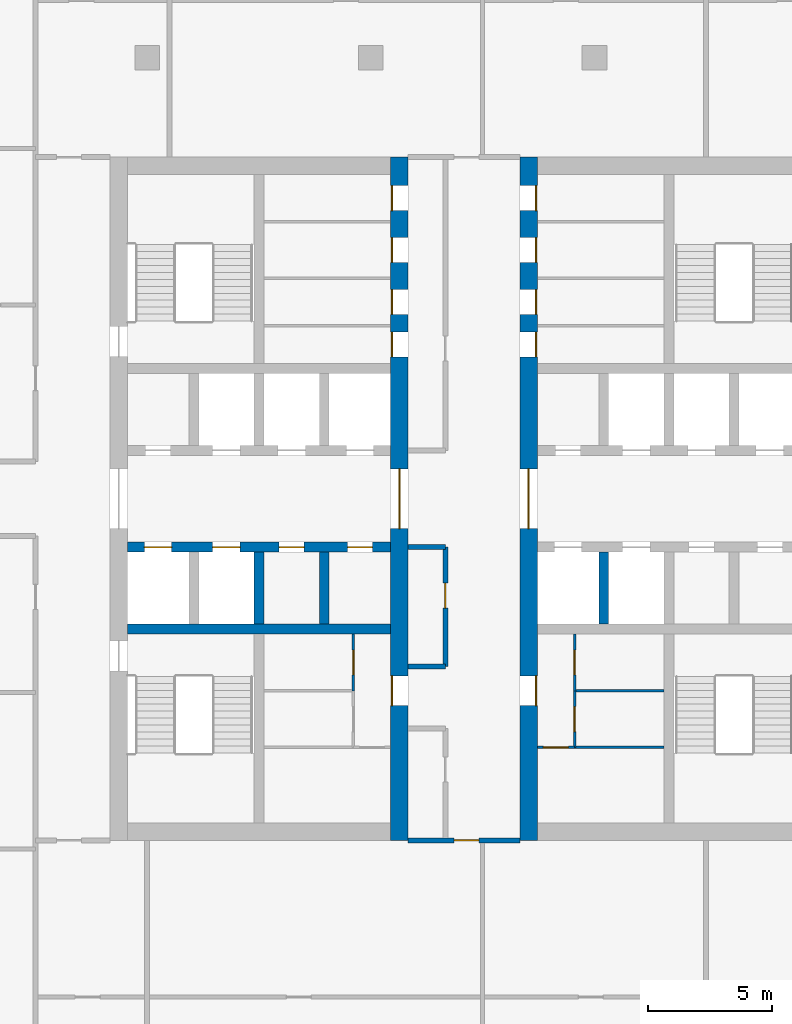
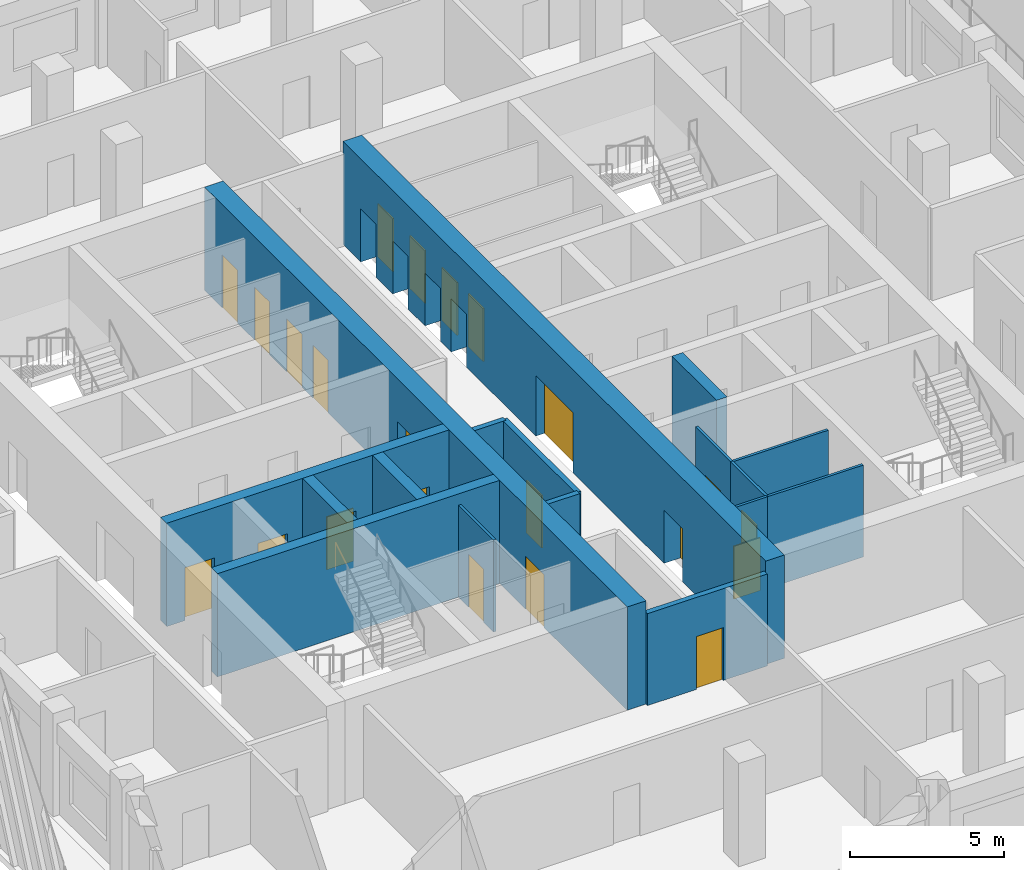
# One storey, part 4 of 17: 22 doors, 17 walls, 22 openings.
"""IFC4 building model written with IfcOpenShell, lengths in metres."""

import ifcopenshell
import ifcopenshell.guid

model = None  # the IFC model being written
_history = None  # IfcOwnerHistory: only IFC2X3 demands one
_inside = {}  # id of a spatial element -> (the spatial element, [elements in it])
_under = {}  # id of a project, library or spatial element -> (it, [spatial elements below it])
_declared = {}  # id of a project -> (the project, [libraries it declares])
_typed = {}  # id of a type object -> (the type object, [elements of that type])
_made_of = {}  # id of a material, layer set ... -> (it, [elements and type objects made of it])


def new_model(schema):
    """Start an empty IFC model of exactly this schema.

    Asked for "IFC4X3", IfcOpenShell would pick the latest addendum, in which some entities
    have other attributes; the version numbers below select the first issue.
    IFC2X3 requires an IfcOwnerHistory on every rooted entity: one is made here for all.
    """
    global model, _history
    if schema == "IFC4X3":
        model = ifcopenshell.file(schema_version=(4, 3, 0, 0))
    else:
        model = ifcopenshell.file(schema=schema)
    _inside.clear()
    _under.clear()
    _declared.clear()
    _typed.clear()
    _made_of.clear()
    _history = None
    if model.schema == "IFC2X3":
        org = make("IfcOrganization", Name="unknown")
        user = make(
            "IfcPersonAndOrganization",
            ThePerson=make("IfcPerson", FamilyName="unknown"),
            TheOrganization=org,
        )
        app = make(
            "IfcApplication",
            ApplicationDeveloper=org,
            Version="unknown",
            ApplicationFullName="unknown",
            ApplicationIdentifier="unknown",
        )
        _history = make(
            "IfcOwnerHistory",
            OwningUser=user,
            OwningApplication=app,
            ChangeAction="ADDED",
            CreationDate=0,
        )
    return model


def make(cls, **values):
    """One entity of the class cls with the attributes given. An attribute that is None is left unset."""
    return model.create_entity(
        cls, **{name: value for name, value in values.items() if value is not None}
    )


def rooted(cls, **values):
    """An entity with a GlobalId (a new one), such as an element, a storey or a relation."""
    return make(cls, GlobalId=ifcopenshell.guid.new(), OwnerHistory=_history, **values)


def si_unit(unit_type, name, prefix=None):
    """IfcSIUnit, for example si_unit("LENGTHUNIT", "METRE", prefix="MILLI")."""
    return make("IfcSIUnit", UnitType=unit_type, Prefix=prefix, Name=name)


def assignment(units):
    """IfcUnitAssignment: the units of a project."""
    return None if units is None else make("IfcUnitAssignment", Units=units)


def point(xyz):
    """IfcCartesianPoint."""
    return None if xyz is None else make("IfcCartesianPoint", Coordinates=xyz)


def direction(xyz):
    """IfcDirection."""
    return None if xyz is None else make("IfcDirection", DirectionRatios=xyz)


def frame(location, z_axis=None, x_axis=None):
    """IfcAxis2Placement3D, a coordinate frame: its origin and axes. An axis left out is left unset."""
    return make(
        "IfcAxis2Placement3D",
        Location=point(location),
        Axis=direction(z_axis),
        RefDirection=direction(x_axis),
    )


def frame_2d(location, x_axis=None):
    """IfcAxis2Placement2D, a coordinate frame in the plane: its origin and x axis."""
    return make(
        "IfcAxis2Placement2D", Location=point(location), RefDirection=direction(x_axis)
    )


def origin():
    """The frame at (0, 0, 0) with its axes left unset."""
    return frame((0.0, 0.0, 0.0))


def place(relative_to, where):
    """IfcLocalPlacement: puts the frame where relative to a parent placement (None: the world)."""
    return make(
        "IfcLocalPlacement", PlacementRelTo=relative_to, RelativePlacement=where
    )


def context(
    kind, dimensions, precision=None, world=None, true_north=None, identifier=None
):
    """IfcGeometricRepresentationContext, for example the 3D "Model" context."""
    return make(
        "IfcGeometricRepresentationContext",
        ContextIdentifier=identifier,
        ContextType=kind,
        CoordinateSpaceDimension=dimensions,
        Precision=precision,
        WorldCoordinateSystem=world,
        TrueNorth=true_north,
    )


def subcontext(parent, identifier, kind, view, scale=None):
    """IfcGeometricRepresentationSubContext, for example "Body" below "Model"."""
    return make(
        "IfcGeometricRepresentationSubContext",
        ContextIdentifier=identifier,
        ContextType=kind,
        ParentContext=parent,
        TargetScale=scale,
        TargetView=view,
    )


def project(units=None, contexts=None):
    """IfcProject with its units and contexts."""
    return rooted(
        "IfcProject",
        Name="project",
        RepresentationContexts=contexts,
        UnitsInContext=assignment(units),
    )


def spatial(cls, under=None, at=None, **own):
    """A site, building, storey or space (cls), placed at a placement, below another one or the project."""
    s = rooted(cls, ObjectPlacement=at, **own)
    if under is not None:
        _under.setdefault(under.id(), (under, []))[1].append(s)
    return s


def profile(cls, at=None, kind="AREA", **sizes):
    """A parametric profile (cls). Its sizes go by their IFC names, for example OverallWidth=200.0."""
    return make(cls, ProfileType=kind, Position=at, **sizes)


def rectangle(**sizes):
    """IfcRectangleProfileDef."""
    return profile("IfcRectangleProfileDef", **sizes)


def extrude(swept, where, along, depth):
    """IfcExtrudedAreaSolid: the profile swept, set in the frame where, extruded along a direction by depth."""
    return make(
        "IfcExtrudedAreaSolid",
        SweptArea=swept,
        Position=where,
        ExtrudedDirection=direction(along),
        Depth=depth,
    )


def shape(context_of_items, identifier, shape_type, items):
    """IfcShapeRepresentation: the items that make up one representation, for example the "Body"."""
    return make(
        "IfcShapeRepresentation",
        ContextOfItems=context_of_items,
        RepresentationIdentifier=identifier,
        RepresentationType=shape_type,
        Items=items,
    )


def material(Name=None, Category=None):
    """IfcMaterial."""
    return make("IfcMaterial", Name=Name, Category=Category)


def layer(
    of_material, thickness, ventilated=None, Name=None, Category=None, Priority=None
):
    """IfcMaterialLayer: one layer of a wall or slab, of a material (None: an air gap)."""
    return make(
        "IfcMaterialLayer",
        Material=of_material,
        LayerThickness=thickness,
        IsVentilated=ventilated,
        Name=Name,
        Category=Category,
        Priority=Priority,
    )


def layer_set(layers, Name=None):
    """IfcMaterialLayerSet."""
    return make("IfcMaterialLayerSet", MaterialLayers=layers, LayerSetName=Name)


def made_of(thing, what):
    """Note that an element or type object is made of a material, layer set ...; save() writes the relation."""
    if what is not None:
        _made_of.setdefault(what.id(), (what, []))[1].append(thing)
    return thing


def type_object(cls, material=None, **own):
    """A type object (cls), such as IfcWallType, which elements share."""
    return made_of(rooted(cls, **own), material)


def element(
    cls,
    number,
    at=None,
    inside=None,
    cuts=None,
    type_object=None,
    material=None,
    context=None,
    identifier="Body",
    shape_type=None,
    held_by="IfcProductDefinitionShape",
    body=None,
    shapes=None,
    **own,
):
    """One element of the class cls, such as IfcWall. Its Tag is "e" and its number.

    at: its placement. inside: the storey or other place that contains it. cuts: it is an
    opening in that element (IfcRelVoidsElement). A single representation is given by context,
    identifier, shape_type and body (its items); several are given by shapes. held_by: the class
    of the entity that holds the representations. save() writes the other relations.
    """
    e = rooted(cls, Tag="e%d" % number, ObjectPlacement=at, **own)
    if body is not None:
        shapes = [shape(context, identifier, shape_type, body)]
    if shapes is not None:
        e.Representation = make(held_by, Representations=shapes)
    if inside is not None:
        _inside.setdefault(inside.id(), (inside, []))[1].append(e)
    if cuts is not None:
        rooted(
            "IfcRelVoidsElement", RelatingBuildingElement=cuts, RelatedOpeningElement=e
        )
    if type_object is not None:
        _typed.setdefault(type_object.id(), (type_object, []))[1].append(e)
    return made_of(e, material)


def fill(opening, filler):
    """IfcRelFillsElement: the door or window that sits in an opening."""
    return rooted(
        "IfcRelFillsElement",
        RelatingOpeningElement=opening,
        RelatedBuildingElement=filler,
    )


def aggregate(whole, parts):
    """IfcRelAggregates: a whole, such as a stair, and the parts it consists of."""
    return rooted("IfcRelAggregates", RelatingObject=whole, RelatedObjects=parts)


def save(model, path):
    """Write the relations noted so far, then the file.

    IfcRelAggregates (storeys below a building ...), IfcRelContainedInSpatialStructure (elements
    in a storey), IfcRelDefinesByType, IfcRelAssociatesMaterial and IfcRelDeclares: one each for
    every whole, place, type object, material and project.
    """
    for whole, parts in _under.values():
        aggregate(whole, parts)
    for where, things in _inside.values():
        rooted(
            "IfcRelContainedInSpatialStructure",
            RelatedElements=things,
            RelatingStructure=where,
        )
    for kind, things in _typed.values():
        rooted("IfcRelDefinesByType", RelatedObjects=things, RelatingType=kind)
    for what, things in _made_of.values():
        rooted("IfcRelAssociatesMaterial", RelatedObjects=things, RelatingMaterial=what)
    for by, libraries in _declared.values():
        rooted("IfcRelDeclares", RelatingContext=by, RelatedDefinitions=libraries)
    model.write(path)


model = new_model("IFC4")

# Units and contexts
model_context = context("Model", 3, precision=1e-05, world=origin(), true_north=direction((0.0, 1.0)))
body_context = subcontext(model_context, "Body", "Model", "MODEL_VIEW")
ifc_project = project(units=[si_unit("LENGTHUNIT", "METRE"), si_unit("AREAUNIT", "SQUARE_METRE"), si_unit("VOLUMEUNIT", "CUBIC_METRE"), si_unit("PLANEANGLEUNIT", "RADIAN"), si_unit("MASSUNIT", "GRAM", prefix="KILO")], contexts=[model_context])

# Site, building, storey
site_placement = place(None, origin())
site = spatial("IfcSite", under=ifc_project, at=site_placement, CompositionType="ELEMENT")
building_placement = place(site_placement, origin())
building = spatial("IfcBuilding", under=site, at=building_placement, Name="Corbel Stack Research Tower", CompositionType="ELEMENT")
storey_placement = place(building_placement, frame((0.0, 0.0, 231.60009765625)))
storey = spatial("IfcBuildingStorey", under=building, at=storey_placement, Name="L52", CompositionType="ELEMENT", Elevation=231.60009765625)

# Wall
ifc_material_1 = material(Name="Concrete C60/75", Category="concrete")
ifc_layer_1 = layer(ifc_material_1, 0.39990234375)
ifc_layer_set_1 = layer_set([ifc_layer_1], Name="Concrete C60/75")
wall_type_1 = type_object("IfcWallType", Name="CW-400-60", PredefinedType="SHEAR", material=ifc_layer_set_1)
wall_1_placement = place(storey_placement, frame((-9.800048828125, -0.5, 0.0), z_axis=(0.0, 0.0, 1.0), x_axis=(1.0, 0.0, 0.0)))
element("IfcWall", 1, at=wall_1_placement, inside=storey, type_object=wall_type_1, Name="West core wall, south row back L52", PredefinedType="SHEAR", context=body_context, shape_type="SweptSolid", body=[
    extrude(rectangle(XDim=10.60009765625, YDim=0.39990234375, at=frame_2d((5.300048828125, 0.0))), origin(), (0.0, 0.0, 1.0), 4.099853515625),
])

# Wall, openings, doors
wall_2_placement = place(storey_placement, frame((-9.800048828125, 2.800048828125, 0.0), z_axis=(0.0, 0.0, 1.0), x_axis=(1.0, 0.0, 0.0)))
wall_2 = element("IfcWall", 2, at=wall_2_placement, inside=storey, type_object=wall_type_1, Name="West core wall, lobby south L52", PredefinedType="SHEAR", context=body_context, shape_type="SweptSolid", body=[
    extrude(rectangle(XDim=10.60009765625, YDim=0.39990234375, at=frame_2d((5.300048828125, 0.0))), origin(), (0.0, 0.0, 1.0), 4.099853515625),
])
opening_1_placement = place(wall_2_placement, frame((0.6875, 0.0, 0.0)))
opening_1 = element("IfcOpeningElement", 3, at=opening_1_placement, cuts=wall_2, Name="Opening LD-FS1", PredefinedType="OPENING", context=body_context, shape_type="SweptSolid", body=[
    extrude(rectangle(XDim=1.10009765625, YDim=2.10009765625, at=frame_2d((0.550048828125, 1.050048828125))), frame((0.0, 0.2099609375, 0.0), z_axis=(0.0, -1.0, 0.0), x_axis=(1.0, 0.0, 0.0)), (0.0, 0.0, 1.0), 0.419921875),
])
opening_2_placement = place(wall_2_placement, frame((3.4375, 0.0, 0.0)))
opening_2 = element("IfcOpeningElement", 4, at=opening_2_placement, cuts=wall_2, Name="Opening LD-GL1", PredefinedType="OPENING", context=body_context, shape_type="SweptSolid", body=[
    extrude(rectangle(XDim=1.10009765625, YDim=2.10009765625, at=frame_2d((0.550048828125, 1.050048828125))), frame((0.0, 0.2099609375, 0.0), z_axis=(0.0, -1.0, 0.0), x_axis=(1.0, 0.0, 0.0)), (0.0, 0.0, 1.0), 0.419921875),
])
opening_3_placement = place(wall_2_placement, frame((6.112548828125, 0.0, 0.0)))
opening_3 = element("IfcOpeningElement", 5, at=opening_3_placement, cuts=wall_2, Name="Opening CR-W66-S3", PredefinedType="OPENING", context=body_context, shape_type="SweptSolid", body=[
    extrude(rectangle(XDim=1.0, YDim=2.10009765625, at=frame_2d((0.5, 1.050048828125))), frame((0.0, 0.2099609375, 0.0), z_axis=(0.0, -1.0, 0.0), x_axis=(1.0, 0.0, 0.0)), (0.0, 0.0, 1.0), 0.419921875),
])
opening_4_placement = place(wall_2_placement, frame((8.862548828125, 0.0, 0.0)))
opening_4 = element("IfcOpeningElement", 6, at=opening_4_placement, cuts=wall_2, Name="Opening CR-W66-S4", PredefinedType="OPENING", context=body_context, shape_type="SweptSolid", body=[
    extrude(rectangle(XDim=1.0, YDim=2.10009765625, at=frame_2d((0.5, 1.050048828125))), frame((0.0, 0.2099609375, 0.0), z_axis=(0.0, -1.0, 0.0), x_axis=(1.0, 0.0, 0.0)), (0.0, 0.0, 1.0), 0.419921875),
])
ifc_material_2 = material(Name="Stainless steel landing door", Category="steel")
door_type_1 = type_object("IfcDoorType", Name="Lift landing door 1100 x 2100", OperationType="DOUBLE_DOOR_SLIDING", PredefinedType="DOOR", material=ifc_material_2)
door_1_placement = place(opening_1_placement, origin())
door_1 = element("IfcDoor", 7, at=door_1_placement, inside=storey, type_object=door_type_1, Name="Landing door FS1", OperationType="DOUBLE_DOOR_SLIDING", OverallHeight=2.10009765625, OverallWidth=1.10009765625, PredefinedType="DOOR", context=body_context, shape_type="SweptSolid", body=[
    extrude(rectangle(XDim=1.10009765625, YDim=2.10009765625, at=frame_2d((0.550048828125, 1.050048828125))), frame((0.0, 0.02490234375, 0.0), z_axis=(0.0, -1.0, 0.0), x_axis=(1.0, 0.0, 0.0)), (0.0, 0.0, 1.0), 0.050048828125),
])
fill(opening_1, door_1)
door_2_placement = place(opening_2_placement, origin())
door_2 = element("IfcDoor", 8, at=door_2_placement, inside=storey, type_object=door_type_1, Name="Landing door GL1", OperationType="DOUBLE_DOOR_SLIDING", OverallHeight=2.10009765625, OverallWidth=1.10009765625, PredefinedType="DOOR", context=body_context, shape_type="SweptSolid", body=[
    extrude(rectangle(XDim=1.10009765625, YDim=2.10009765625, at=frame_2d((0.550048828125, 1.050048828125))), frame((0.0, 0.02490234375, 0.0), z_axis=(0.0, -1.0, 0.0), x_axis=(1.0, 0.0, 0.0)), (0.0, 0.0, 1.0), 0.050048828125),
])
fill(opening_2, door_2)
ifc_material_3 = material(Name="Painted steel door", Category="steel")
door_type_2 = type_object("IfcDoorType", Name="Service door 1000 x 2100 FD60 left hand", OperationType="SINGLE_SWING_LEFT", PredefinedType="DOOR", material=ifc_material_3)
door_3_placement = place(opening_3_placement, origin())
door_3 = element("IfcDoor", 9, at=door_3_placement, inside=storey, type_object=door_type_2, Name="Cleaner's store door W core", OperationType="SINGLE_SWING_LEFT", OverallHeight=2.10009765625, OverallWidth=1.0, PredefinedType="DOOR", context=body_context, shape_type="SweptSolid", body=[
    extrude(rectangle(XDim=1.0, YDim=2.10009765625, at=frame_2d((0.5, 1.050048828125))), frame((0.0, 0.02490234375, 0.0), z_axis=(0.0, -1.0, 0.0), x_axis=(1.0, 0.0, 0.0)), (0.0, 0.0, 1.0), 0.050048828125),
])
fill(opening_3, door_3)
ifc_material_4 = material(Name="Painted steel door", Category="steel")
door_type_3 = type_object("IfcDoorType", Name="Service door 1000 x 2100 FD60 right hand", OperationType="SINGLE_SWING_RIGHT", PredefinedType="DOOR", material=ifc_material_4)
door_4_placement = place(opening_4_placement, origin())
door_4 = element("IfcDoor", 10, at=door_4_placement, inside=storey, type_object=door_type_3, Name="Vending bay door W core", OperationType="SINGLE_SWING_RIGHT", OverallHeight=2.10009765625, OverallWidth=1.0, PredefinedType="DOOR", context=body_context, shape_type="SweptSolid", body=[
    extrude(rectangle(XDim=1.0, YDim=2.10009765625, at=frame_2d((0.5, 1.050048828125))), frame((0.0, 0.02490234375, 0.0), z_axis=(0.0, -1.0, 0.0), x_axis=(1.0, 0.0, 0.0)), (0.0, 0.0, 1.0), 0.050048828125),
])
fill(opening_4, door_4)

# Walls
for number, where, z_axis, x_axis, name in (
    (11, (-4.5, -0.300048828125, 0.0), (0.0, 0.0, 1.0), (0.0, 1.0, 0.0), "West core wall, south shaft 2 L52"),
    (12, (-1.875, -0.300048828125, 0.0), (0.0, 0.0, 1.0), (0.0, 1.0, 0.0), "West core wall, south shaft 3 L52"),
    (13, (9.375, -0.300048828125, 0.0), (0.0, 0.0, 1.0), (0.0, 1.0, 0.0), "East core wall, south shaft 1 L52"),
):
    element("IfcWall", number, at=place(storey_placement, frame(where, z_axis=z_axis, x_axis=x_axis)), inside=storey, type_object=wall_type_1, Name=name, PredefinedType="SHEAR", context=body_context, shape_type="SweptSolid", body=[
        extrude(rectangle(XDim=2.900146484375, YDim=0.39990234375, at=frame_2d((1.4501953125, 0.0))), origin(), (0.0, 0.0, 1.0), 4.099853515625),
    ])

# Wall, openings, doors
ifc_material_5 = material(Name="Concrete C60/75", Category="concrete")
ifc_layer_2 = layer(ifc_material_5, 0.699951171875)
ifc_layer_set_2 = layer_set([ifc_layer_2], Name="Concrete C60/75")
wall_type_2 = type_object("IfcWallType", Name="CW-700-60", PredefinedType="SHEAR", material=ifc_layer_set_2)
wall_3_placement = place(storey_placement, frame((1.14990234375, -9.0, 0.0), z_axis=(0.0, 0.0, 1.0), x_axis=(0.0, 1.0, 0.0)))
wall_3 = element("IfcWall", 14, at=wall_3_placement, inside=storey, type_object=wall_type_2, Name="West core wall, east face L52", PredefinedType="SHEAR", context=body_context, shape_type="SweptSolid", body=[
    extrude(rectangle(XDim=27.5, YDim=0.699951171875, at=frame_2d((13.75, 0.0))), origin(), (0.0, 0.0, 1.0), 4.099853515625),
])
opening_5_placement = place(wall_3_placement, frame((12.550048828125, 0.0, 0.0)))
opening_5 = element("IfcOpeningElement", 15, at=opening_5_placement, cuts=wall_3, Name="Opening CD-W-E", PredefinedType="OPENING", context=body_context, shape_type="SweptSolid", body=[
    extrude(rectangle(XDim=2.39990234375, YDim=2.39990234375, at=frame_2d((1.199951171875, 1.199951171875))), frame((0.0, 0.35986328125, 0.0), z_axis=(0.0, -1.0, 0.0), x_axis=(1.0, 0.0, 0.0)), (0.0, 0.0, 1.0), 0.719970703125),
])
opening_6_placement = place(wall_3_placement, frame((5.419921875, 0.0, 0.0)))
opening_6 = element("IfcOpeningElement", 16, at=opening_6_placement, cuts=wall_3, Name="Opening CR-W66-W1-1200", PredefinedType="OPENING", context=body_context, shape_type="SweptSolid", body=[
    extrude(rectangle(XDim=1.199951171875, YDim=2.10009765625, at=frame_2d((0.60009765625, 1.050048828125))), frame((0.0, 0.35986328125, 0.0), z_axis=(0.0, -1.0, 0.0), x_axis=(1.0, 0.0, 0.0)), (0.0, 0.0, 1.0), 0.719970703125),
])
opening_7_placement = place(wall_3_placement, frame((19.4599609375, 0.0, 0.0)))
opening_7 = element("IfcOpeningElement", 17, at=opening_7_placement, cuts=wall_3, Name="Opening CR-W66-R1-1000", PredefinedType="OPENING", context=body_context, shape_type="SweptSolid", body=[
    extrude(rectangle(XDim=1.0, YDim=2.10009765625, at=frame_2d((0.5, 1.050048828125))), frame((0.0, 0.35986328125, 0.0), z_axis=(0.0, -1.0, 0.0), x_axis=(1.0, 0.0, 0.0)), (0.0, 0.0, 1.0), 0.719970703125),
])
opening_8_placement = place(wall_3_placement, frame((21.169921875, 0.0, 0.0)))
opening_8 = element("IfcOpeningElement", 18, at=opening_8_placement, cuts=wall_3, Name="Opening CR-W66-R2-1000", PredefinedType="OPENING", context=body_context, shape_type="SweptSolid", body=[
    extrude(rectangle(XDim=1.0, YDim=2.10009765625, at=frame_2d((0.5, 1.050048828125))), frame((0.0, 0.35986328125, 0.0), z_axis=(0.0, -1.0, 0.0), x_axis=(1.0, 0.0, 0.0)), (0.0, 0.0, 1.0), 0.719970703125),
])
opening_9_placement = place(wall_3_placement, frame((23.260009765625, 0.0, 0.0)))
opening_9 = element("IfcOpeningElement", 19, at=opening_9_placement, cuts=wall_3, Name="Opening CR-W66-R3-1000", PredefinedType="OPENING", context=body_context, shape_type="SweptSolid", body=[
    extrude(rectangle(XDim=1.0, YDim=2.10009765625, at=frame_2d((0.5, 1.050048828125))), frame((0.0, 0.35986328125, 0.0), z_axis=(0.0, -1.0, 0.0), x_axis=(1.0, 0.0, 0.0)), (0.0, 0.0, 1.0), 0.719970703125),
])
opening_10_placement = place(wall_3_placement, frame((25.35009765625, 0.0, 0.0)))
opening_10 = element("IfcOpeningElement", 20, at=opening_10_placement, cuts=wall_3, Name="Opening CR-W66-R4-1000", PredefinedType="OPENING", context=body_context, shape_type="SweptSolid", body=[
    extrude(rectangle(XDim=1.0, YDim=2.10009765625, at=frame_2d((0.5, 1.050048828125))), frame((0.0, 0.35986328125, 0.0), z_axis=(0.0, -1.0, 0.0), x_axis=(1.0, 0.0, 0.0)), (0.0, 0.0, 1.0), 0.719970703125),
])
ifc_material_6 = material(Name="Painted steel fire door", Category="steel")
door_type_4 = type_object("IfcDoorType", Name="Lobby door pair 2400 x 2400 FD30S", OperationType="DOUBLE_DOOR_DOUBLE_SWING", PredefinedType="DOOR", material=ifc_material_6)
door_5_placement = place(opening_5_placement, origin())
door_5 = element("IfcDoor", 21, at=door_5_placement, inside=storey, type_object=door_type_4, Name="Lift lobby door W core E", OperationType="DOUBLE_DOOR_DOUBLE_SWING", OverallHeight=2.39990234375, OverallWidth=2.39990234375, PredefinedType="DOOR", context=body_context, shape_type="SweptSolid", body=[
    extrude(rectangle(XDim=2.39990234375, YDim=2.39990234375, at=frame_2d((1.199951171875, 1.199951171875))), frame((0.0, 0.02490234375, 0.0), z_axis=(0.0, -1.0, 0.0), x_axis=(1.0, 0.0, 0.0)), (0.0, 0.0, 1.0), 0.050048828125),
])
fill(opening_5, door_5)
ifc_material_7 = material(Name="Painted steel door", Category="steel")
door_type_5 = type_object("IfcDoorType", Name="Riser door 1000 x 2100 FD60 left hand", OperationType="SINGLE_SWING_LEFT", PredefinedType="DOOR", material=ifc_material_7)
door_6_placement = place(opening_7_placement, origin())
door_6 = element("IfcDoor", 22, at=door_6_placement, inside=storey, type_object=door_type_5, Name="Electrical riser door W core", OperationType="SINGLE_SWING_LEFT", OverallHeight=2.10009765625, OverallWidth=1.0, PredefinedType="DOOR", context=body_context, shape_type="SweptSolid", body=[
    extrude(rectangle(XDim=1.0, YDim=2.10009765625, at=frame_2d((0.5, 1.050048828125))), frame((0.0, 0.3251953125, 0.0), z_axis=(0.0, -1.0, 0.0), x_axis=(1.0, 0.0, 0.0)), (0.0, 0.0, 1.0), 0.050048828125),
])
fill(opening_7, door_6)
ifc_material_8 = material(Name="Painted steel door", Category="steel")
door_type_6 = type_object("IfcDoorType", Name="Riser door 1000 x 2100 FD60 right hand", OperationType="SINGLE_SWING_RIGHT", PredefinedType="DOOR", material=ifc_material_8)
door_7_placement = place(opening_8_placement, origin())
door_7 = element("IfcDoor", 23, at=door_7_placement, inside=storey, type_object=door_type_6, Name="Telecom room door W core", OperationType="SINGLE_SWING_RIGHT", OverallHeight=2.10009765625, OverallWidth=1.0, PredefinedType="DOOR", context=body_context, shape_type="SweptSolid", body=[
    extrude(rectangle(XDim=1.0, YDim=2.10009765625, at=frame_2d((0.5, 1.050048828125))), frame((0.0, 0.3251953125, 0.0), z_axis=(0.0, -1.0, 0.0), x_axis=(1.0, 0.0, 0.0)), (0.0, 0.0, 1.0), 0.050048828125),
])
fill(opening_8, door_7)
ifc_material_9 = material(Name="Painted steel door", Category="steel")
door_type_7 = type_object("IfcDoorType", Name="Service door 1000 x 2100 FD30 left hand", OperationType="SINGLE_SWING_LEFT", PredefinedType="DOOR", material=ifc_material_9)
door_8_placement = place(opening_9_placement, origin())
door_8 = element("IfcDoor", 24, at=door_8_placement, inside=storey, type_object=door_type_7, Name="Pantry door W core", OperationType="SINGLE_SWING_LEFT", OverallHeight=2.10009765625, OverallWidth=1.0, PredefinedType="DOOR", context=body_context, shape_type="SweptSolid", body=[
    extrude(rectangle(XDim=1.0, YDim=2.10009765625, at=frame_2d((0.5, 1.050048828125))), frame((0.0, 0.3251953125, 0.0), z_axis=(0.0, -1.0, 0.0), x_axis=(1.0, 0.0, 0.0)), (0.0, 0.0, 1.0), 0.050048828125),
])
fill(opening_9, door_8)
ifc_material_10 = material(Name="Painted steel door", Category="steel")
door_type_8 = type_object("IfcDoorType", Name="Service door 1000 x 2100 FD30 right hand", OperationType="SINGLE_SWING_RIGHT", PredefinedType="DOOR", material=ifc_material_10)
door_9_placement = place(opening_10_placement, origin())
door_9 = element("IfcDoor", 25, at=door_9_placement, inside=storey, type_object=door_type_8, Name="Cleaner's store door W core", OperationType="SINGLE_SWING_RIGHT", OverallHeight=2.10009765625, OverallWidth=1.0, PredefinedType="DOOR", context=body_context, shape_type="SweptSolid", body=[
    extrude(rectangle(XDim=1.0, YDim=2.10009765625, at=frame_2d((0.5, 1.050048828125))), frame((0.0, 0.3251953125, 0.0), z_axis=(0.0, -1.0, 0.0), x_axis=(1.0, 0.0, 0.0)), (0.0, 0.0, 1.0), 0.050048828125),
])
fill(opening_10, door_9)
ifc_material_11 = material(Name="Painted timber door", Category="wood")
door_type_9 = type_object("IfcDoorType", Name="WC door 1200 x 2100 left hand", OperationType="SINGLE_SWING_LEFT", PredefinedType="DOOR", material=ifc_material_11)
door_10_placement = place(opening_6_placement, origin())
door_10 = element("IfcDoor", 26, at=door_10_placement, inside=storey, type_object=door_type_9, Name="WC lobby door W core", OperationType="SINGLE_SWING_LEFT", OverallHeight=2.10009765625, OverallWidth=1.199951171875, PredefinedType="DOOR", context=body_context, shape_type="SweptSolid", body=[
    extrude(rectangle(XDim=1.199951171875, YDim=2.10009765625, at=frame_2d((0.60009765625, 1.050048828125))), frame((0.0, 0.3251953125, 0.0), z_axis=(0.0, -1.0, 0.0), x_axis=(1.0, 0.0, 0.0)), (0.0, 0.0, 1.0), 0.050048828125),
])
fill(opening_6, door_10)

wall_4_placement = place(storey_placement, frame((6.35009765625, -9.0, 0.0), z_axis=(0.0, 0.0, 1.0), x_axis=(0.0, 1.0, 0.0)))
wall_4 = element("IfcWall", 27, at=wall_4_placement, inside=storey, type_object=wall_type_2, Name="East core wall, west face L52", PredefinedType="SHEAR", context=body_context, shape_type="SweptSolid", body=[
    extrude(rectangle(XDim=27.5, YDim=0.699951171875, at=frame_2d((13.75, 0.0))), origin(), (0.0, 0.0, 1.0), 4.099853515625),
])
opening_11_placement = place(wall_4_placement, frame((12.550048828125, 0.0, 0.0)))
opening_11 = element("IfcOpeningElement", 28, at=opening_11_placement, cuts=wall_4, Name="Opening CD-E-W", PredefinedType="OPENING", context=body_context, shape_type="SweptSolid", body=[
    extrude(rectangle(XDim=2.39990234375, YDim=2.39990234375, at=frame_2d((1.199951171875, 1.199951171875))), frame((0.0, 0.35986328125, 0.0), z_axis=(0.0, -1.0, 0.0), x_axis=(1.0, 0.0, 0.0)), (0.0, 0.0, 1.0), 0.719970703125),
])
opening_12_placement = place(wall_4_placement, frame((5.419921875, 0.0, 0.0)))
opening_12 = element("IfcOpeningElement", 29, at=opening_12_placement, cuts=wall_4, Name="Opening CR-E66-W1-1200", PredefinedType="OPENING", context=body_context, shape_type="SweptSolid", body=[
    extrude(rectangle(XDim=1.199951171875, YDim=2.10009765625, at=frame_2d((0.60009765625, 1.050048828125))), frame((0.0, 0.35986328125, 0.0), z_axis=(0.0, -1.0, 0.0), x_axis=(1.0, 0.0, 0.0)), (0.0, 0.0, 1.0), 0.719970703125),
])
opening_13_placement = place(wall_4_placement, frame((19.4599609375, 0.0, 0.0)))
opening_13 = element("IfcOpeningElement", 30, at=opening_13_placement, cuts=wall_4, Name="Opening CR-E66-R1-1000", PredefinedType="OPENING", context=body_context, shape_type="SweptSolid", body=[
    extrude(rectangle(XDim=1.0, YDim=2.10009765625, at=frame_2d((0.5, 1.050048828125))), frame((0.0, 0.35986328125, 0.0), z_axis=(0.0, -1.0, 0.0), x_axis=(1.0, 0.0, 0.0)), (0.0, 0.0, 1.0), 0.719970703125),
])
opening_14_placement = place(wall_4_placement, frame((21.169921875, 0.0, 0.0)))
opening_14 = element("IfcOpeningElement", 31, at=opening_14_placement, cuts=wall_4, Name="Opening CR-E66-R2-1000", PredefinedType="OPENING", context=body_context, shape_type="SweptSolid", body=[
    extrude(rectangle(XDim=1.0, YDim=2.10009765625, at=frame_2d((0.5, 1.050048828125))), frame((0.0, 0.35986328125, 0.0), z_axis=(0.0, -1.0, 0.0), x_axis=(1.0, 0.0, 0.0)), (0.0, 0.0, 1.0), 0.719970703125),
])
opening_15_placement = place(wall_4_placement, frame((23.260009765625, 0.0, 0.0)))
opening_15 = element("IfcOpeningElement", 32, at=opening_15_placement, cuts=wall_4, Name="Opening CR-E66-R3-1000", PredefinedType="OPENING", context=body_context, shape_type="SweptSolid", body=[
    extrude(rectangle(XDim=1.0, YDim=2.10009765625, at=frame_2d((0.5, 1.050048828125))), frame((0.0, 0.35986328125, 0.0), z_axis=(0.0, -1.0, 0.0), x_axis=(1.0, 0.0, 0.0)), (0.0, 0.0, 1.0), 0.719970703125),
])
opening_16_placement = place(wall_4_placement, frame((25.35009765625, 0.0, 0.0)))
opening_16 = element("IfcOpeningElement", 33, at=opening_16_placement, cuts=wall_4, Name="Opening CR-E66-R4-1000", PredefinedType="OPENING", context=body_context, shape_type="SweptSolid", body=[
    extrude(rectangle(XDim=1.0, YDim=2.10009765625, at=frame_2d((0.5, 1.050048828125))), frame((0.0, 0.35986328125, 0.0), z_axis=(0.0, -1.0, 0.0), x_axis=(1.0, 0.0, 0.0)), (0.0, 0.0, 1.0), 0.719970703125),
])
door_11_placement = place(opening_11_placement, origin())
door_11 = element("IfcDoor", 34, at=door_11_placement, inside=storey, type_object=door_type_4, Name="Lift lobby door E core W", OperationType="DOUBLE_DOOR_DOUBLE_SWING", OverallHeight=2.39990234375, OverallWidth=2.39990234375, PredefinedType="DOOR", context=body_context, shape_type="SweptSolid", body=[
    extrude(rectangle(XDim=2.39990234375, YDim=2.39990234375, at=frame_2d((1.199951171875, 1.199951171875))), frame((0.0, 0.02490234375, 0.0), z_axis=(0.0, -1.0, 0.0), x_axis=(1.0, 0.0, 0.0)), (0.0, 0.0, 1.0), 0.050048828125),
])
fill(opening_11, door_11)
door_12_placement = place(opening_14_placement, origin())
door_12 = element("IfcDoor", 35, at=door_12_placement, inside=storey, type_object=door_type_5, Name="Telecom room door E core", OperationType="SINGLE_SWING_LEFT", OverallHeight=2.10009765625, OverallWidth=1.0, PredefinedType="DOOR", context=body_context, shape_type="SweptSolid", body=[
    extrude(rectangle(XDim=1.0, YDim=2.10009765625, at=frame_2d((0.5, 1.050048828125))), frame((0.0, -0.27490234375, 0.0), z_axis=(0.0, -1.0, 0.0), x_axis=(1.0, 0.0, 0.0)), (0.0, 0.0, 1.0), 0.050048828125),
])
fill(opening_14, door_12)
door_13_placement = place(opening_13_placement, origin())
door_13 = element("IfcDoor", 36, at=door_13_placement, inside=storey, type_object=door_type_6, Name="Electrical riser door E core", OperationType="SINGLE_SWING_RIGHT", OverallHeight=2.10009765625, OverallWidth=1.0, PredefinedType="DOOR", context=body_context, shape_type="SweptSolid", body=[
    extrude(rectangle(XDim=1.0, YDim=2.10009765625, at=frame_2d((0.5, 1.050048828125))), frame((0.0, -0.27490234375, 0.0), z_axis=(0.0, -1.0, 0.0), x_axis=(1.0, 0.0, 0.0)), (0.0, 0.0, 1.0), 0.050048828125),
])
fill(opening_13, door_13)
door_14_placement = place(opening_16_placement, origin())
door_14 = element("IfcDoor", 37, at=door_14_placement, inside=storey, type_object=door_type_7, Name="Cleaner's store door E core", OperationType="SINGLE_SWING_LEFT", OverallHeight=2.10009765625, OverallWidth=1.0, PredefinedType="DOOR", context=body_context, shape_type="SweptSolid", body=[
    extrude(rectangle(XDim=1.0, YDim=2.10009765625, at=frame_2d((0.5, 1.050048828125))), frame((0.0, -0.27490234375, 0.0), z_axis=(0.0, -1.0, 0.0), x_axis=(1.0, 0.0, 0.0)), (0.0, 0.0, 1.0), 0.050048828125),
])
fill(opening_16, door_14)
door_15_placement = place(opening_15_placement, origin())
door_15 = element("IfcDoor", 38, at=door_15_placement, inside=storey, type_object=door_type_8, Name="Pantry door E core", OperationType="SINGLE_SWING_RIGHT", OverallHeight=2.10009765625, OverallWidth=1.0, PredefinedType="DOOR", context=body_context, shape_type="SweptSolid", body=[
    extrude(rectangle(XDim=1.0, YDim=2.10009765625, at=frame_2d((0.5, 1.050048828125))), frame((0.0, -0.27490234375, 0.0), z_axis=(0.0, -1.0, 0.0), x_axis=(1.0, 0.0, 0.0)), (0.0, 0.0, 1.0), 0.050048828125),
])
fill(opening_15, door_15)
ifc_material_12 = material(Name="Painted timber door", Category="wood")
door_type_10 = type_object("IfcDoorType", Name="WC door 1200 x 2100 right hand", OperationType="SINGLE_SWING_RIGHT", PredefinedType="DOOR", material=ifc_material_12)
door_16_placement = place(opening_12_placement, origin())
door_16 = element("IfcDoor", 39, at=door_16_placement, inside=storey, type_object=door_type_10, Name="WC lobby door E core", OperationType="SINGLE_SWING_RIGHT", OverallHeight=2.10009765625, OverallWidth=1.199951171875, PredefinedType="DOOR", context=body_context, shape_type="SweptSolid", body=[
    extrude(rectangle(XDim=1.199951171875, YDim=2.10009765625, at=frame_2d((0.60009765625, 1.050048828125))), frame((0.0, -0.27490234375, 0.0), z_axis=(0.0, -1.0, 0.0), x_axis=(1.0, 0.0, 0.0)), (0.0, 0.0, 1.0), 0.050048828125),
])
fill(opening_12, door_16)

# Wall, opening, door
ifc_material_13 = material(Name="Gypsum board")
ifc_layer_3 = layer(ifc_material_13, 0.10009765625)
ifc_layer_set_3 = layer_set([ifc_layer_3], Name="Gypsum board")
wall_type_3 = type_object("IfcWallType", Name="Core partition 100", PredefinedType="PARTITIONING", material=ifc_layer_set_3)
wall_5_placement = place(storey_placement, frame((-0.699951171875, -2.97998046875, 0.0), z_axis=(0.0, 0.0, 1.0), x_axis=(0.0, 1.0, 0.0)))
wall_5 = element("IfcWall", 40, at=wall_5_placement, inside=storey, type_object=wall_type_3, Name="Core partition W", PredefinedType="PARTITIONING", context=body_context, shape_type="SweptSolid", body=[
    extrude(rectangle(XDim=2.280029296875, YDim=0.10009765625, at=frame_2d((1.14013671875, 0.0))), origin(), (0.0, 0.0, 1.0), 3.64990234375),
])
opening_17_placement = place(wall_5_placement, frame((0.639892578125, 0.0, 0.0)))
opening_17 = element("IfcOpeningElement", 41, at=opening_17_placement, cuts=wall_5, Name="Opening CR-W66-W4-1000", PredefinedType="OPENING", context=body_context, shape_type="SweptSolid", body=[
    extrude(rectangle(XDim=1.0, YDim=2.10009765625, at=frame_2d((0.5, 1.050048828125))), frame((0.0, 0.06005859375, 0.0), z_axis=(0.0, -1.0, 0.0), x_axis=(1.0, 0.0, 0.0)), (0.0, 0.0, 1.0), 0.1201171875),
])
ifc_material_14 = material(Name="Painted timber door", Category="wood")
door_type_11 = type_object("IfcDoorType", Name="WC door 1000 x 2100 right hand", OperationType="SINGLE_SWING_RIGHT", PredefinedType="DOOR", material=ifc_material_14)
door_17_placement = place(opening_17_placement, origin())
door_17 = element("IfcDoor", 42, at=door_17_placement, inside=storey, type_object=door_type_11, Name="Women's WC door W core", OperationType="SINGLE_SWING_RIGHT", OverallHeight=2.10009765625, OverallWidth=1.0, PredefinedType="DOOR", context=body_context, shape_type="SweptSolid", body=[
    extrude(rectangle(XDim=1.0, YDim=2.10009765625, at=frame_2d((0.5, 1.050048828125))), frame((0.0, 0.02490234375, 0.0), z_axis=(0.0, -1.0, 0.0), x_axis=(1.0, 0.0, 0.0)), (0.0, 0.0, 1.0), 0.050048828125),
])
fill(opening_17, door_17)

wall_6_placement = place(storey_placement, frame((6.699951171875, -5.260009765625, 0.0), z_axis=(0.0, 0.0, 1.0), x_axis=(1.0, 0.0, 0.0)))
wall_6 = element("IfcWall", 43, at=wall_6_placement, inside=storey, type_object=wall_type_3, Name="Core partition E", PredefinedType="PARTITIONING", context=body_context, shape_type="SweptSolid", body=[
    extrude(rectangle(XDim=1.5, YDim=0.10009765625, at=frame_2d((0.75, 0.0))), origin(), (0.0, 0.0, 1.0), 3.64990234375),
])
opening_18_placement = place(wall_6_placement, frame((0.25, 0.0, 0.0)))
opening_18 = element("IfcOpeningElement", 44, at=opening_18_placement, cuts=wall_6, Name="Opening CR-E66-W2-1000", PredefinedType="OPENING", context=body_context, shape_type="SweptSolid", body=[
    extrude(rectangle(XDim=1.0, YDim=2.10009765625, at=frame_2d((0.5, 1.050048828125))), frame((0.0, 0.06005859375, 0.0), z_axis=(0.0, -1.0, 0.0), x_axis=(1.0, 0.0, 0.0)), (0.0, 0.0, 1.0), 0.1201171875),
])
ifc_material_15 = material(Name="Painted timber door", Category="wood")
door_type_12 = type_object("IfcDoorType", Name="WC door 1000 x 2100 left hand", OperationType="SINGLE_SWING_LEFT", PredefinedType="DOOR", material=ifc_material_15)
door_18_placement = place(opening_18_placement, origin())
door_18 = element("IfcDoor", 45, at=door_18_placement, inside=storey, type_object=door_type_12, Name="Accessible WC door E core", OperationType="SINGLE_SWING_LEFT", OverallHeight=2.10009765625, OverallWidth=1.0, PredefinedType="DOOR", context=body_context, shape_type="SweptSolid", body=[
    extrude(rectangle(XDim=1.0, YDim=2.10009765625, at=frame_2d((0.5, 1.050048828125))), frame((0.0, 0.02490234375, 0.0), z_axis=(0.0, -1.0, 0.0), x_axis=(1.0, 0.0, 0.0)), (0.0, 0.0, 1.0), 0.050048828125),
])
fill(opening_18, door_18)

wall_7_placement = place(storey_placement, frame((8.199951171875, -5.260009765625, 0.0), z_axis=(0.0, 0.0, 1.0), x_axis=(0.0, 1.0, 0.0)))
wall_7 = element("IfcWall", 46, at=wall_7_placement, inside=storey, type_object=wall_type_3, Name="Core partition E", PredefinedType="PARTITIONING", context=body_context, shape_type="SweptSolid", body=[
    extrude(rectangle(XDim=2.280029296875, YDim=0.10009765625, at=frame_2d((1.14013671875, 0.0))), origin(), (0.0, 0.0, 1.0), 3.64990234375),
])
opening_19_placement = place(wall_7_placement, frame((0.639892578125, 0.0, 0.0)))
opening_19 = element("IfcOpeningElement", 47, at=opening_19_placement, cuts=wall_7, Name="Opening CR-E66-W3-1000", PredefinedType="OPENING", context=body_context, shape_type="SweptSolid", body=[
    extrude(rectangle(XDim=1.0, YDim=2.10009765625, at=frame_2d((0.5, 1.050048828125))), frame((0.0, 0.06005859375, 0.0), z_axis=(0.0, -1.0, 0.0), x_axis=(1.0, 0.0, 0.0)), (0.0, 0.0, 1.0), 0.1201171875),
])
door_19_placement = place(opening_19_placement, origin())
door_19 = element("IfcDoor", 48, at=door_19_placement, inside=storey, type_object=door_type_11, Name="Men's WC door E core", OperationType="SINGLE_SWING_RIGHT", OverallHeight=2.10009765625, OverallWidth=1.0, PredefinedType="DOOR", context=body_context, shape_type="SweptSolid", body=[
    extrude(rectangle(XDim=1.0, YDim=2.10009765625, at=frame_2d((0.5, 1.050048828125))), frame((0.0, 0.02490234375, 0.0), z_axis=(0.0, -1.0, 0.0), x_axis=(1.0, 0.0, 0.0)), (0.0, 0.0, 1.0), 0.050048828125),
])
fill(opening_19, door_19)

wall_8_placement = place(storey_placement, frame((8.199951171875, -2.97998046875, 0.0), z_axis=(0.0, 0.0, 1.0), x_axis=(0.0, 1.0, 0.0)))
wall_8 = element("IfcWall", 49, at=wall_8_placement, inside=storey, type_object=wall_type_3, Name="Core partition E", PredefinedType="PARTITIONING", context=body_context, shape_type="SweptSolid", body=[
    extrude(rectangle(XDim=2.280029296875, YDim=0.10009765625, at=frame_2d((1.14013671875, 0.0))), origin(), (0.0, 0.0, 1.0), 3.64990234375),
])
opening_20_placement = place(wall_8_placement, frame((0.639892578125, 0.0, 0.0)))
opening_20 = element("IfcOpeningElement", 50, at=opening_20_placement, cuts=wall_8, Name="Opening CR-E66-W4-1000", PredefinedType="OPENING", context=body_context, shape_type="SweptSolid", body=[
    extrude(rectangle(XDim=1.0, YDim=2.10009765625, at=frame_2d((0.5, 1.050048828125))), frame((0.0, 0.06005859375, 0.0), z_axis=(0.0, -1.0, 0.0), x_axis=(1.0, 0.0, 0.0)), (0.0, 0.0, 1.0), 0.1201171875),
])
door_20_placement = place(opening_20_placement, origin())
door_20 = element("IfcDoor", 51, at=door_20_placement, inside=storey, type_object=door_type_12, Name="Women's WC door E core", OperationType="SINGLE_SWING_LEFT", OverallHeight=2.10009765625, OverallWidth=1.0, PredefinedType="DOOR", context=body_context, shape_type="SweptSolid", body=[
    extrude(rectangle(XDim=1.0, YDim=2.10009765625, at=frame_2d((0.5, 1.050048828125))), frame((0.0, 0.02490234375, 0.0), z_axis=(0.0, -1.0, 0.0), x_axis=(1.0, 0.0, 0.0)), (0.0, 0.0, 1.0), 0.050048828125),
])
fill(opening_20, door_20)

# Walls
for number, where, z_axis, x_axis, name in (
    (52, (8.199951171875, -5.260009765625, 0.0), (0.0, 0.0, 1.0), (1.0, 0.0, 0.0), "Core partition E"),
    (53, (8.199951171875, -2.97998046875, 0.0), (0.0, 0.0, 1.0), (1.0, 0.0, 0.0), "Core partition E"),
):
    element("IfcWall", number, at=place(storey_placement, frame(where, z_axis=z_axis, x_axis=x_axis)), inside=storey, type_object=wall_type_3, Name=name, PredefinedType="PARTITIONING", context=body_context, shape_type="SweptSolid", body=[
        extrude(rectangle(XDim=3.60009765625, YDim=0.10009765625, at=frame_2d((1.800048828125, 0.0))), origin(), (0.0, 0.0, 1.0), 3.64990234375),
    ])

# Wall, opening, door
ifc_material_16 = material(Name="Fire-rated gypsum board partition on steel studs", Category="steel")
ifc_layer_4 = layer(ifc_material_16, 0.199951171875)
ifc_layer_set_4 = layer_set([ifc_layer_4], Name="Fire-rated gypsum board partition on steel studs")
wall_type_4 = type_object("IfcWallType", Name="Fire-rated partition 200 EI 60", PredefinedType="PARTITIONING", material=ifc_layer_set_4)
wall_9_placement = place(storey_placement, frame((3.0, -2.0, 0.0), z_axis=(0.0, 0.0, 1.0), x_axis=(0.0, 1.0, 0.0)))
wall_9 = element("IfcWall", 54, at=wall_9_placement, inside=storey, type_object=wall_type_4, Name="Partition L52-008", PredefinedType="PARTITIONING", context=body_context, shape_type="SweptSolid", body=[
    extrude(rectangle(XDim=4.800048828125, YDim=0.199951171875, at=frame_2d((2.39990234375, 0.0))), origin(), (0.0, 0.0, 1.0), 3.64990234375),
])
opening_21_placement = place(wall_9_placement, frame((2.35009765625, 0.0, 0.0)))
opening_21 = element("IfcOpeningElement", 55, at=opening_21_placement, cuts=wall_9, Name="Opening B7V0H-015", PredefinedType="OPENING", context=body_context, shape_type="SweptSolid", body=[
    extrude(rectangle(XDim=1.0, YDim=2.10009765625, at=frame_2d((0.5, 1.050048828125))), frame((0.0, 0.10986328125, 0.0), z_axis=(0.0, -1.0, 0.0), x_axis=(1.0, 0.0, 0.0)), (0.0, 0.0, 1.0), 0.219970703125),
])
ifc_material_17 = material(Name="Painted steel fire door", Category="steel")
door_type_13 = type_object("IfcDoorType", Name="Fire door FD30S 1000 x 2100", OperationType="NOTDEFINED", PredefinedType="DOOR", material=ifc_material_17)
door_21_placement = place(opening_21_placement, origin())
door_21 = element("IfcDoor", 56, at=door_21_placement, inside=storey, type_object=door_type_13, Name="Door B7V0H-015", OperationType="SINGLE_SWING_RIGHT", OverallHeight=2.10009765625, OverallWidth=1.0, PredefinedType="DOOR", context=body_context, shape_type="SweptSolid", body=[
    extrude(rectangle(XDim=1.0, YDim=2.10009765625, at=frame_2d((0.5, 1.050048828125))), frame((0.0, 0.02490234375, 0.0), z_axis=(0.0, -1.0, 0.0), x_axis=(1.0, 0.0, 0.0)), (0.0, 0.0, 1.0), 0.050048828125),
])
fill(opening_21, door_21)

wall_10_placement = place(storey_placement, frame((6.0, -9.0, 0.0), z_axis=(0.0, 0.0, 1.0), x_axis=(-1.0, 0.0, 0.0)))
wall_10 = element("IfcWall", 57, at=wall_10_placement, inside=storey, type_object=wall_type_4, Name="Partition L52-023", PredefinedType="PARTITIONING", context=body_context, shape_type="SweptSolid", body=[
    extrude(rectangle(XDim=4.5, YDim=0.199951171875, at=frame_2d((2.25, 0.0))), origin(), (0.0, 0.0, 1.0), 3.64990234375),
])
opening_22_placement = place(wall_10_placement, frame((1.64990234375, 0.0, 0.0)))
opening_22 = element("IfcOpeningElement", 58, at=opening_22_placement, cuts=wall_10, Name="Opening B7V0H-010", PredefinedType="OPENING", context=body_context, shape_type="SweptSolid", body=[
    extrude(rectangle(XDim=1.0, YDim=2.10009765625, at=frame_2d((0.5, 1.050048828125))), frame((0.0, 0.10986328125, 0.0), z_axis=(0.0, -1.0, 0.0), x_axis=(1.0, 0.0, 0.0)), (0.0, 0.0, 1.0), 0.219970703125),
])
door_22_placement = place(opening_22_placement, origin())
door_22 = element("IfcDoor", 59, at=door_22_placement, inside=storey, type_object=door_type_13, Name="Door B7V0H-010", OperationType="SINGLE_SWING_LEFT", OverallHeight=2.10009765625, OverallWidth=1.0, PredefinedType="DOOR", context=body_context, shape_type="SweptSolid", body=[
    extrude(rectangle(XDim=1.0, YDim=2.10009765625, at=frame_2d((0.5, 1.050048828125))), frame((0.0, 0.02490234375, 0.0), z_axis=(0.0, -1.0, 0.0), x_axis=(1.0, 0.0, 0.0)), (0.0, 0.0, 1.0), 0.050048828125),
])
fill(opening_22, door_22)

# Walls
for number, where, z_axis, x_axis, name in (
    (60, (1.5, -2.0, 0.0), (0.0, 0.0, 1.0), (1.0, 0.0, 0.0), "Partition L52-028"),
    (61, (1.5, 2.800048828125, 0.0), (0.0, 0.0, 1.0), (1.0, 0.0, 0.0), "Partition L52-029"),
):
    element("IfcWall", number, at=place(storey_placement, frame(where, z_axis=z_axis, x_axis=x_axis)), inside=storey, type_object=wall_type_4, Name=name, PredefinedType="PARTITIONING", context=body_context, shape_type="SweptSolid", body=[
        extrude(rectangle(XDim=1.5, YDim=0.199951171875, at=frame_2d((0.75, 0.0))), origin(), (0.0, 0.0, 1.0), 3.64990234375),
    ])

save(model, "model.ifc")
